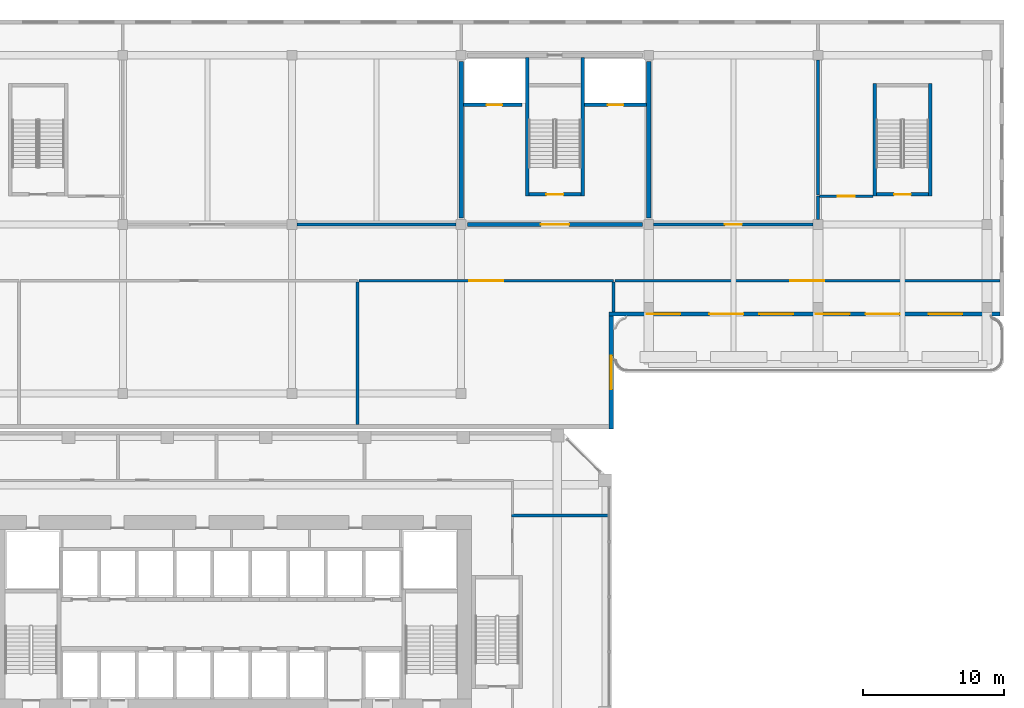
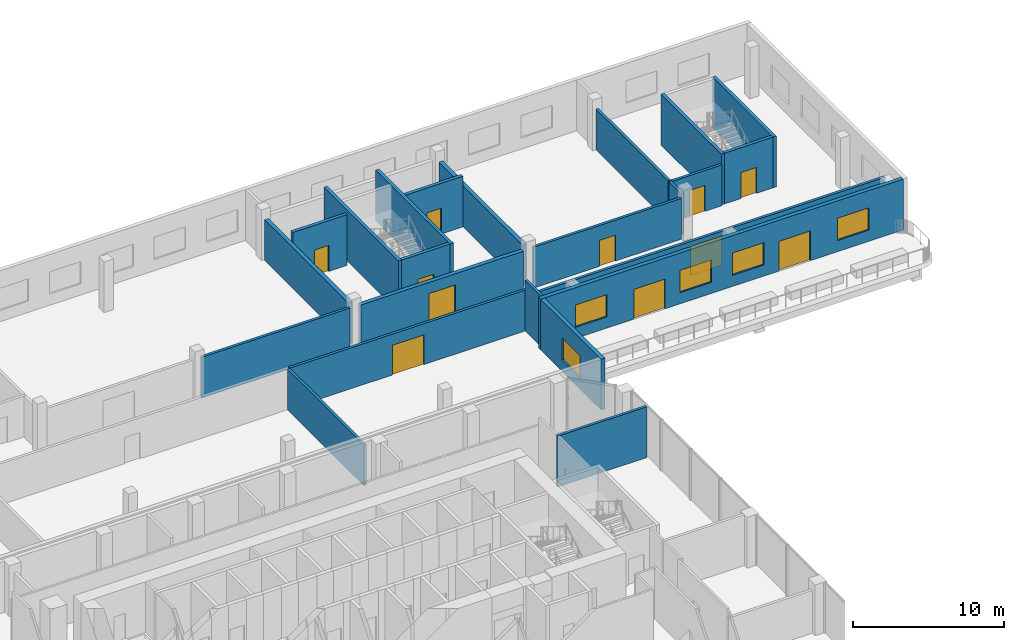
# One storey, part 25 of 36: 23 walls, 11 doors, 5 windows, 16 openings.
"""IFC4 building model written with IfcOpenShell, lengths in metres."""

from ifc_helpers import new_model, si_unit, direction, frame, frame_2d, origin, place, context, subcontext, project, spatial, rectangle, extrude, source, transform, mapped, material, layer, layer_set, type_object, element, fill, save


model = new_model("IFC4")

# Units and contexts
model_context = context("Model", 3, precision=1e-05, world=origin(), true_north=direction((0.0, 1.0)))
body_context = subcontext(model_context, "Body", "Model", "MODEL_VIEW")
ifc_project = project(units=[si_unit("LENGTHUNIT", "METRE"), si_unit("AREAUNIT", "SQUARE_METRE"), si_unit("VOLUMEUNIT", "CUBIC_METRE"), si_unit("PLANEANGLEUNIT", "RADIAN"), si_unit("MASSUNIT", "GRAM", prefix="KILO")], contexts=[model_context])

# Site, building, storey
site_placement = place(None, origin())
site = spatial("IfcSite", under=ifc_project, at=site_placement, CompositionType="ELEMENT")
building_placement = place(site_placement, origin())
building = spatial("IfcBuilding", under=site, at=building_placement, Name="Kilnfold Tower and Market Hall", CompositionType="ELEMENT")
storey_placement = place(building_placement, frame((0.0, 0.0, 18.0)))
storey = spatial("IfcBuildingStorey", under=building, at=storey_placement, Name="L03", CompositionType="ELEMENT", Elevation=18.0)

# Wall
ifc_material_1 = material(Name="Gypsum board on steel studs", Category="steel")
ifc_layer_1 = layer(ifc_material_1, 0.199951171875)
ifc_layer_set_1 = layer_set([ifc_layer_1], Name="Gypsum board on steel studs")
wall_type_1 = type_object("IfcWallType", Name="WALL PARTY 200", PredefinedType="PARTITIONING", material=ifc_layer_set_1)
wall_1_placement = place(storey_placement, frame((27.75, 22.0, 0.0), z_axis=(0.0, 0.0, 1.0), x_axis=(-1.0, 0.0, 0.0)))
element("IfcWall", 1, at=wall_1_placement, inside=storey, type_object=wall_type_1, Name="Partition LY04.61", PredefinedType="PARTITIONING", context=body_context, shape_type="SweptSolid", body=[
    extrude(rectangle(XDim=6.823974609375, YDim=0.199951171875, at=frame_2d((3.412109375, 0.0))), origin(), (0.0, 0.0, 1.0), 4.10009765625),
])

# Wall, opening, door
ifc_material_2 = material(Name="Concrete C50/60", Category="concrete")
ifc_layer_2 = layer(ifc_material_2, 0.25)
ifc_layer_set_2 = layer_set([ifc_layer_2], Name="Concrete C50/60")
wall_type_2 = type_object("IfcWallType", Name="HALL CORE WALL 250", PredefinedType="SHEAR", material=ifc_layer_set_2)
shared_shape_1 = source(origin(), body_context, "Body", "SweptSolid", [
    extrude(rectangle(XDim=3.699951171875, YDim=0.25, at=frame_2d((1.85009765625, 0.0))), origin(), (0.0, 0.0, 1.0), 4.10009765625),
])
wall_2_placement = place(storey_placement, frame((46.800048828125, 44.77490234375, 0.0), z_axis=(0.0, 0.0, 1.0), x_axis=(1.0, 0.0, 0.0)))
wall_2 = element("IfcWall", 2, at=wall_2_placement, inside=storey, type_object=wall_type_2, Name="Core wall MS6", PredefinedType="SHEAR", context=body_context, shape_type="MappedRepresentation", body=[
    mapped(shared_shape_1, transform((0.0, 0.0, 0.0))),
])
opening_1_placement = place(wall_2_placement, frame((1.25, 0.0, 0.0)))
opening_1 = element("IfcOpeningElement", 3, at=opening_1_placement, cuts=wall_2, Name="Opening MD9-60", PredefinedType="OPENING", context=body_context, shape_type="SweptSolid", body=[
    extrude(rectangle(XDim=1.199951171875, YDim=2.10009765625, at=frame_2d((0.60009765625, 1.050048828125))), frame((0.0, 0.135009765625, 0.0), z_axis=(0.0, -1.0, 0.0), x_axis=(1.0, 0.0, 0.0)), (0.0, 0.0, 1.0), 0.27001953125),
])
ifc_material_3 = material(Name="Steel S355", Category="steel")
door_type_1 = type_object("IfcDoorType", Name="HALL DOOR STAIR 1200X2100 FD60", OperationType="NOTDEFINED", PredefinedType="DOOR", material=ifc_material_3)
door_1_placement = place(opening_1_placement, origin())
door_1 = element("IfcDoor", 4, at=door_1_placement, inside=storey, type_object=door_type_1, Name="Door MD9-60", OperationType="DOUBLE_DOOR_SINGLE_SWING", OverallHeight=2.10009765625, OverallWidth=1.199951171875, PredefinedType="DOOR", context=body_context, shape_type="SweptSolid", body=[
    extrude(rectangle(XDim=1.199951171875, YDim=2.10009765625, at=frame_2d((0.60009765625, 1.050048828125))), frame((0.0, 0.02490234375, 0.0), z_axis=(0.0, -1.0, 0.0), x_axis=(1.0, 0.0, 0.0)), (0.0, 0.0, 1.0), 0.050048828125),
])
fill(opening_1, door_1)

shared_shape_2 = source(origin(), body_context, "Body", "SweptSolid", [
    extrude(rectangle(XDim=3.7001953125, YDim=0.25, at=frame_2d((1.85009765625, 0.0))), origin(), (0.0, 0.0, 1.0), 4.10009765625),
])
wall_3_placement = place(storey_placement, frame((25.85009765625, 44.77490234375, 0.0), z_axis=(0.0, 0.0, 1.0), x_axis=(-1.0, 0.0, 0.0)))
wall_3 = element("IfcWall", 5, at=wall_3_placement, inside=storey, type_object=wall_type_2, Name="Core wall MH3", PredefinedType="SHEAR", context=body_context, shape_type="MappedRepresentation", body=[
    mapped(shared_shape_2, transform((0.0, 0.0, 0.0))),
])
opening_2_placement = place(wall_3_placement, frame((1.25, 0.0, 0.0)))
opening_2 = element("IfcOpeningElement", 6, at=opening_2_placement, cuts=wall_3, Name="Opening MD9-60", PredefinedType="OPENING", context=body_context, shape_type="SweptSolid", body=[
    extrude(rectangle(XDim=1.199951171875, YDim=2.10009765625, at=frame_2d((0.60009765625, 1.050048828125))), frame((0.0, 0.135009765625, 0.0), z_axis=(0.0, -1.0, 0.0), x_axis=(1.0, 0.0, 0.0)), (0.0, 0.0, 1.0), 0.27001953125),
])
door_2_placement = place(opening_2_placement, origin())
door_2 = element("IfcDoor", 7, at=door_2_placement, inside=storey, type_object=door_type_1, Name="Door MD9-60", OperationType="DOUBLE_DOOR_SINGLE_SWING", OverallHeight=2.10009765625, OverallWidth=1.199951171875, PredefinedType="DOOR", context=body_context, shape_type="SweptSolid", body=[
    extrude(rectangle(XDim=1.199951171875, YDim=2.10009765625, at=frame_2d((0.60009765625, 1.050048828125))), frame((0.0, 0.02490234375, 0.0), z_axis=(0.0, -1.0, 0.0), x_axis=(1.0, 0.0, 0.0)), (0.0, 0.0, 1.0), 0.050048828125),
])
fill(opening_2, door_2)

# Walls
shared_shape_3 = source(origin(), body_context, "Body", "SweptSolid", [
    extrude(rectangle(XDim=8.0, YDim=0.25, at=frame_2d((4.0, 0.0))), origin(), (0.0, 0.0, 1.0), 4.10009765625),
])
for number, where, z_axis, x_axis, name in (
    (8, (46.675048828125, 44.64990234375, 0.0), (0.0, 0.0, 1.0), (0.0, 1.0, 0.0), "Core wall MS6"),
    (9, (50.625, 44.64990234375, 0.0), (0.0, 0.0, 1.0), (0.0, 1.0, 0.0), "Core wall MS6"),
):
    element("IfcWall", number, at=place(storey_placement, frame(where, z_axis=z_axis, x_axis=x_axis)), inside=storey, type_object=wall_type_2, Name=name, PredefinedType="SHEAR", context=body_context, shape_type="MappedRepresentation", body=[
        mapped(shared_shape_3, transform((0.0, 0.0, 0.0))),
    ])
shared_shape_4 = source(origin(), body_context, "Body", "SweptSolid", [
    extrude(rectangle(XDim=9.85009765625, YDim=0.25, at=frame_2d((4.925048828125, 0.0))), origin(), (0.0, 0.0, 1.0), 4.10009765625),
])
for number, where, z_axis, x_axis, name in (
    (10, (25.97509765625, 54.5, 0.0), (0.0, 0.0, 1.0), (0.0, -1.0, 0.0), "Core wall MH3"),
    (11, (22.02490234375, 54.5, 0.0), (0.0, 0.0, 1.0), (0.0, -1.0, 0.0), "Core wall MH3"),
):
    element("IfcWall", number, at=place(storey_placement, frame(where, z_axis=z_axis, x_axis=x_axis)), inside=storey, type_object=wall_type_2, Name=name, PredefinedType="SHEAR", context=body_context, shape_type="MappedRepresentation", body=[
        mapped(shared_shape_4, transform((0.0, 0.0, 0.0))),
    ])
ifc_material_4 = material(Name="Concrete C50/60", Category="concrete")
ifc_layer_3 = layer(ifc_material_4, 0.300048828125)
ifc_layer_set_3 = layer_set([ifc_layer_3], Name="Concrete C50/60")
wall_type_3 = type_object("IfcWallType", Name="HALL CORE WALL 300", PredefinedType="SHEAR", material=ifc_layer_set_3)
shared_shape_5 = source(origin(), body_context, "Body", "SweptSolid", [
    extrude(rectangle(XDim=11.099853515625, YDim=0.300048828125, at=frame_2d((5.5498046875, 0.0))), origin(), (0.0, 0.0, 1.0), 3.300048828125),
])
for number, where, z_axis, x_axis, name in (
    (12, (30.64990234375, 54.199951171875, 0.0), (0.0, 0.0, 1.0), (0.0, -1.0, 0.0), "Core wall MH3"),
    (13, (17.35009765625, 54.199951171875, 0.0), (0.0, 0.0, 1.0), (0.0, -1.0, 0.0), "Core wall MH3"),
):
    element("IfcWall", number, at=place(storey_placement, frame(where, z_axis=z_axis, x_axis=x_axis)), inside=storey, type_object=wall_type_3, Name=name, PredefinedType="SHEAR", context=body_context, shape_type="MappedRepresentation", body=[
        mapped(shared_shape_5, transform((0.0, 0.0, 0.0))),
    ])

# Wall, opening, door
shared_shape_6 = source(origin(), body_context, "Body", "SweptSolid", [
    extrude(rectangle(XDim=4.39990234375, YDim=0.25, at=frame_2d((2.199951171875, 0.0))), origin(), (0.0, 0.0, 1.0), 4.10009765625),
])
wall_4_placement = place(storey_placement, frame((30.5, 51.125, 0.0), z_axis=(0.0, 0.0, 1.0), x_axis=(-1.0, 0.0, 0.0)))
wall_4 = element("IfcWall", 14, at=wall_4_placement, inside=storey, type_object=wall_type_2, Name="Core wall MH3", PredefinedType="SHEAR", context=body_context, shape_type="MappedRepresentation", body=[
    mapped(shared_shape_6, transform((0.0, 0.0, 0.0))),
])
opening_3_placement = place(wall_4_placement, frame((1.64990234375, 0.0, 0.0)))
opening_3 = element("IfcOpeningElement", 15, at=opening_3_placement, cuts=wall_4, Name="Opening LD", PredefinedType="OPENING", context=body_context, shape_type="SweptSolid", body=[
    extrude(rectangle(XDim=1.10009765625, YDim=2.10009765625, at=frame_2d((0.550048828125, 1.050048828125))), frame((0.0, 0.135009765625, 0.0), z_axis=(0.0, -1.0, 0.0), x_axis=(1.0, 0.0, 0.0)), (0.0, 0.0, 1.0), 0.27001953125),
])
ifc_material_5 = material(Name="Steel S355", Category="steel")
door_type_2 = type_object("IfcDoorType", Name="HALL LANDING DOOR 1100X2100 FD60", OperationType="NOTDEFINED", PredefinedType="DOOR", material=ifc_material_5)
door_3_placement = place(opening_3_placement, origin())
door_3 = element("IfcDoor", 16, at=door_3_placement, inside=storey, type_object=door_type_2, Name="Door LD", OperationType="SLIDING_TO_LEFT", OverallHeight=2.10009765625, OverallWidth=1.10009765625, PredefinedType="DOOR", context=body_context, shape_type="SweptSolid", body=[
    extrude(rectangle(XDim=1.10009765625, YDim=2.10009765625, at=frame_2d((0.550048828125, 1.050048828125))), frame((0.0, 0.02490234375, 0.0), z_axis=(0.0, -1.0, 0.0), x_axis=(1.0, 0.0, 0.0)), (0.0, 0.0, 1.0), 0.050048828125),
])
fill(opening_3, door_3)

shared_shape_7 = source(origin(), body_context, "Body", "SweptSolid", [
    extrude(rectangle(XDim=4.14990234375, YDim=0.25, at=frame_2d((2.074951171875, 0.0))), origin(), (0.0, 0.0, 1.0), 4.10009765625),
])
wall_5_placement = place(storey_placement, frame((21.64990234375, 51.125, 0.0), z_axis=(0.0, 0.0, 1.0), x_axis=(-1.0, 0.0, 0.0)))
wall_5 = element("IfcWall", 17, at=wall_5_placement, inside=storey, type_object=wall_type_2, Name="Core wall MH3", PredefinedType="SHEAR", context=body_context, shape_type="MappedRepresentation", body=[
    mapped(shared_shape_7, transform((0.0, 0.0, 0.0))),
])
opening_4_placement = place(wall_5_placement, frame((1.39990234375, 0.0, 0.0)))
opening_4 = element("IfcOpeningElement", 18, at=opening_4_placement, cuts=wall_5, Name="Opening LD", PredefinedType="OPENING", context=body_context, shape_type="SweptSolid", body=[
    extrude(rectangle(XDim=1.10009765625, YDim=2.10009765625, at=frame_2d((0.550048828125, 1.050048828125))), frame((0.0, 0.135009765625, 0.0), z_axis=(0.0, -1.0, 0.0), x_axis=(1.0, 0.0, 0.0)), (0.0, 0.0, 1.0), 0.27001953125),
])
door_4_placement = place(opening_4_placement, origin())
door_4 = element("IfcDoor", 19, at=door_4_placement, inside=storey, type_object=door_type_2, Name="Door LD", OperationType="SLIDING_TO_LEFT", OverallHeight=2.10009765625, OverallWidth=1.10009765625, PredefinedType="DOOR", context=body_context, shape_type="SweptSolid", body=[
    extrude(rectangle(XDim=1.10009765625, YDim=2.10009765625, at=frame_2d((0.550048828125, 1.050048828125))), frame((0.0, 0.02490234375, 0.0), z_axis=(0.0, -1.0, 0.0), x_axis=(1.0, 0.0, 0.0)), (0.0, 0.0, 1.0), 0.050048828125),
])
fill(opening_4, door_4)

shared_shape_8 = source(origin(), body_context, "Body", "SweptSolid", [
    extrude(rectangle(XDim=12.39990234375, YDim=0.300048828125, at=frame_2d((6.199951171875, 0.0))), origin(), (0.0, 0.0, 1.0), 3.300048828125),
])
wall_6_placement = place(storey_placement, frame((30.199951171875, 42.64990234375, 0.0), z_axis=(0.0, 0.0, 1.0), x_axis=(-1.0, 0.0, 0.0)))
wall_6 = element("IfcWall", 20, at=wall_6_placement, inside=storey, type_object=wall_type_3, Name="Core wall MH3", PredefinedType="SHEAR", context=body_context, shape_type="MappedRepresentation", body=[
    mapped(shared_shape_8, transform((0.0, 0.0, 0.0))),
])
opening_5_placement = place(wall_6_placement, frame((5.199951171875, 0.0, 0.0)))
opening_5 = element("IfcOpeningElement", 21, at=opening_5_placement, cuts=wall_6, Name="Opening MD10-60", PredefinedType="OPENING", context=body_context, shape_type="SweptSolid", body=[
    extrude(rectangle(XDim=2.0, YDim=2.39990234375, at=frame_2d((1.0, 1.199951171875))), frame((0.0, 0.16015625, 0.0), z_axis=(0.0, -1.0, 0.0), x_axis=(1.0, 0.0, 0.0)), (0.0, 0.0, 1.0), 0.320068359375),
])
ifc_material_6 = material(Name="Aluminium glazing", Category="aluminium")
door_type_3 = type_object("IfcDoorType", Name="HALL DOOR LOBBY 2000X2400 FD60", OperationType="NOTDEFINED", PredefinedType="DOOR", material=ifc_material_6)
door_5_placement = place(opening_5_placement, origin())
door_5 = element("IfcDoor", 22, at=door_5_placement, inside=storey, type_object=door_type_3, Name="Door MD10-60", OperationType="DOUBLE_DOOR_SINGLE_SWING", OverallHeight=2.39990234375, OverallWidth=2.0, PredefinedType="DOOR", context=body_context, shape_type="SweptSolid", body=[
    extrude(rectangle(XDim=2.0, YDim=2.39990234375, at=frame_2d((1.0, 1.199951171875))), frame((0.0, 0.02490234375, 0.0), z_axis=(0.0, -1.0, 0.0), x_axis=(1.0, 0.0, 0.0)), (0.0, 0.0, 1.0), 0.050048828125),
])
fill(opening_5, door_5)

# Wall, openings, doors, windows
ifc_material_7 = material(Name="Concrete blockwork", Category="masonry")
ifc_layer_4 = layer(ifc_material_7, 0.300048828125)
ifc_layer_set_4 = layer_set([ifc_layer_4], Name="Concrete blockwork")
wall_type_4 = type_object("IfcWallType", Name="HALL EXTERNAL WALL 300 EI 60", PredefinedType="SOLIDWALL", material=ifc_layer_set_4)
shared_shape_9 = source(origin(), body_context, "Body", "SweptSolid", [
    extrude(rectangle(XDim=27.699951171875, YDim=0.300048828125, at=frame_2d((13.85009765625, 0.0))), origin(), (0.0, 0.0, 1.0), 4.10009765625),
])
wall_7_placement = place(storey_placement, frame((55.550048828125, 36.300048828125, 0.0), z_axis=(0.0, 0.0, 1.0), x_axis=(-1.0, 0.0, 0.0)))
wall_7 = element("IfcWall", 23, at=wall_7_placement, inside=storey, type_object=wall_type_4, Name="External wall MEW-L03.4", PredefinedType="SOLIDWALL", context=body_context, shape_type="MappedRepresentation", body=[
    mapped(shared_shape_9, transform((0.0, 0.0, 0.0))),
])
opening_6_placement = place(wall_7_placement, frame((7.110107421875, 0.0, 0.0)))
opening_6 = element("IfcOpeningElement", 24, at=opening_6_placement, cuts=wall_7, Name="Opening MED2", PredefinedType="OPENING", context=body_context, shape_type="SweptSolid", body=[
    extrude(rectangle(XDim=2.39990234375, YDim=2.39990234375, at=frame_2d((1.199951171875, 1.199951171875))), frame((0.0, 0.16015625, 0.0), z_axis=(0.0, -1.0, 0.0), x_axis=(1.0, 0.0, 0.0)), (0.0, 0.0, 1.0), 0.320068359375),
])
opening_7_placement = place(wall_7_placement, frame((18.18994140625, 0.0, 0.0)))
opening_7 = element("IfcOpeningElement", 25, at=opening_7_placement, cuts=wall_7, Name="Opening MED2", PredefinedType="OPENING", context=body_context, shape_type="SweptSolid", body=[
    extrude(rectangle(XDim=2.39990234375, YDim=2.39990234375, at=frame_2d((1.199951171875, 1.199951171875))), frame((0.0, 0.16015625, 0.0), z_axis=(0.0, -1.0, 0.0), x_axis=(1.0, 0.0, 0.0)), (0.0, 0.0, 1.0), 0.320068359375),
])
opening_8_placement = place(wall_7_placement, frame((2.64990234375, 0.0, 0.89990234375)))
opening_8 = element("IfcOpeningElement", 26, at=opening_8_placement, cuts=wall_7, Name="Opening MEN3", PredefinedType="OPENING", context=body_context, shape_type="SweptSolid", body=[
    extrude(rectangle(XDim=2.39990234375, YDim=1.800048828125, at=frame_2d((1.199951171875, 0.89990234375))), frame((0.0, 0.16015625, 0.0), z_axis=(0.0, -1.0, 0.0), x_axis=(1.0, 0.0, 0.0)), (0.0, 0.0, 1.0), 0.320068359375),
])
opening_9_placement = place(wall_7_placement, frame((10.64990234375, 0.0, 0.89990234375)))
opening_9 = element("IfcOpeningElement", 27, at=opening_9_placement, cuts=wall_7, Name="Opening MEN3", PredefinedType="OPENING", context=body_context, shape_type="SweptSolid", body=[
    extrude(rectangle(XDim=2.39990234375, YDim=1.800048828125, at=frame_2d((1.199951171875, 0.89990234375))), frame((0.0, 0.16015625, 0.0), z_axis=(0.0, -1.0, 0.0), x_axis=(1.0, 0.0, 0.0)), (0.0, 0.0, 1.0), 0.320068359375),
])
opening_10_placement = place(wall_7_placement, frame((14.64990234375, 0.0, 0.89990234375)))
opening_10 = element("IfcOpeningElement", 28, at=opening_10_placement, cuts=wall_7, Name="Opening MEN3", PredefinedType="OPENING", context=body_context, shape_type="SweptSolid", body=[
    extrude(rectangle(XDim=2.39990234375, YDim=1.800048828125, at=frame_2d((1.199951171875, 0.89990234375))), frame((0.0, 0.16015625, 0.0), z_axis=(0.0, -1.0, 0.0), x_axis=(1.0, 0.0, 0.0)), (0.0, 0.0, 1.0), 0.320068359375),
])
opening_11_placement = place(wall_7_placement, frame((22.64990234375, 0.0, 0.89990234375)))
opening_11 = element("IfcOpeningElement", 29, at=opening_11_placement, cuts=wall_7, Name="Opening MEN3", PredefinedType="OPENING", context=body_context, shape_type="SweptSolid", body=[
    extrude(rectangle(XDim=2.39990234375, YDim=1.800048828125, at=frame_2d((1.199951171875, 0.89990234375))), frame((0.0, 0.16015625, 0.0), z_axis=(0.0, -1.0, 0.0), x_axis=(1.0, 0.0, 0.0)), (0.0, 0.0, 1.0), 0.320068359375),
])
ifc_material_8 = material(Name="Aluminium glazing", Category="aluminium")
door_type_4 = type_object("IfcDoorType", Name="DECK DOOR 2400X2400", OperationType="NOTDEFINED", PredefinedType="DOOR", material=ifc_material_8)
door_6_placement = place(opening_6_placement, origin())
door_6 = element("IfcDoor", 30, at=door_6_placement, inside=storey, type_object=door_type_4, Name="Terrace door MED2", OperationType="DOUBLE_DOOR_SINGLE_SWING", OverallHeight=2.39990234375, OverallWidth=2.39990234375, PredefinedType="DOOR", context=body_context, shape_type="SweptSolid", body=[
    extrude(rectangle(XDim=2.39990234375, YDim=2.39990234375, at=frame_2d((1.199951171875, 1.199951171875))), frame((0.0, 0.02490234375, 0.0), z_axis=(0.0, -1.0, 0.0), x_axis=(1.0, 0.0, 0.0)), (0.0, 0.0, 1.0), 0.050048828125),
])
fill(opening_6, door_6)
door_7_placement = place(opening_7_placement, origin())
door_7 = element("IfcDoor", 31, at=door_7_placement, inside=storey, type_object=door_type_4, Name="Terrace door MED2", OperationType="DOUBLE_DOOR_SINGLE_SWING", OverallHeight=2.39990234375, OverallWidth=2.39990234375, PredefinedType="DOOR", context=body_context, shape_type="SweptSolid", body=[
    extrude(rectangle(XDim=2.39990234375, YDim=2.39990234375, at=frame_2d((1.199951171875, 1.199951171875))), frame((0.0, 0.02490234375, 0.0), z_axis=(0.0, -1.0, 0.0), x_axis=(1.0, 0.0, 0.0)), (0.0, 0.0, 1.0), 0.050048828125),
])
fill(opening_7, door_7)
ifc_material_9 = material(Name="Aluminium glazing", Category="aluminium")
window_type = type_object("IfcWindowType", Name="HALL WINDOW 2400X1800", PartitioningType="SINGLE_PANEL", PredefinedType="WINDOW", material=ifc_material_9)
window_1_placement = place(opening_8_placement, origin())
window_1 = element("IfcWindow", 32, at=window_1_placement, inside=storey, type_object=window_type, Name="Window upper", OverallHeight=1.800048828125, OverallWidth=2.39990234375, PartitioningType="SINGLE_PANEL", PredefinedType="WINDOW", context=body_context, shape_type="SweptSolid", body=[
    extrude(rectangle(XDim=2.39990234375, YDim=1.800048828125, at=frame_2d((1.199951171875, 0.89990234375))), frame((0.0, 0.030029296875, 0.0), z_axis=(0.0, -1.0, 0.0), x_axis=(1.0, 0.0, 0.0)), (0.0, 0.0, 1.0), 0.06005859375),
])
fill(opening_8, window_1)
window_2_placement = place(opening_9_placement, origin())
window_2 = element("IfcWindow", 33, at=window_2_placement, inside=storey, type_object=window_type, Name="Window upper", OverallHeight=1.800048828125, OverallWidth=2.39990234375, PartitioningType="SINGLE_PANEL", PredefinedType="WINDOW", context=body_context, shape_type="SweptSolid", body=[
    extrude(rectangle(XDim=2.39990234375, YDim=1.800048828125, at=frame_2d((1.199951171875, 0.89990234375))), frame((0.0, 0.030029296875, 0.0), z_axis=(0.0, -1.0, 0.0), x_axis=(1.0, 0.0, 0.0)), (0.0, 0.0, 1.0), 0.06005859375),
])
fill(opening_9, window_2)
window_3_placement = place(opening_10_placement, origin())
window_3 = element("IfcWindow", 34, at=window_3_placement, inside=storey, type_object=window_type, Name="Window upper", OverallHeight=1.800048828125, OverallWidth=2.39990234375, PartitioningType="SINGLE_PANEL", PredefinedType="WINDOW", context=body_context, shape_type="SweptSolid", body=[
    extrude(rectangle(XDim=2.39990234375, YDim=1.800048828125, at=frame_2d((1.199951171875, 0.89990234375))), frame((0.0, 0.030029296875, 0.0), z_axis=(0.0, -1.0, 0.0), x_axis=(1.0, 0.0, 0.0)), (0.0, 0.0, 1.0), 0.06005859375),
])
fill(opening_10, window_3)
window_4_placement = place(opening_11_placement, origin())
window_4 = element("IfcWindow", 35, at=window_4_placement, inside=storey, type_object=window_type, Name="Window upper", OverallHeight=1.800048828125, OverallWidth=2.39990234375, PartitioningType="SINGLE_PANEL", PredefinedType="WINDOW", context=body_context, shape_type="SweptSolid", body=[
    extrude(rectangle(XDim=2.39990234375, YDim=1.800048828125, at=frame_2d((1.199951171875, 0.89990234375))), frame((0.0, 0.030029296875, 0.0), z_axis=(0.0, -1.0, 0.0), x_axis=(1.0, 0.0, 0.0)), (0.0, 0.0, 1.0), 0.06005859375),
])
fill(opening_11, window_4)

# Wall, opening, window
shared_shape_10 = source(origin(), body_context, "Body", "SweptSolid", [
    extrude(rectangle(XDim=8.0, YDim=0.300048828125, at=frame_2d((4.0, 0.0))), origin(), (0.0, 0.0, 1.0), 4.10009765625),
])
wall_8_placement = place(storey_placement, frame((28.0, 36.14990234375, 0.0), z_axis=(0.0, 0.0, 1.0), x_axis=(0.0, -1.0, 0.0)))
wall_8 = element("IfcWall", 36, at=wall_8_placement, inside=storey, type_object=wall_type_4, Name="External wall MEW-L03.5", PredefinedType="SOLIDWALL", context=body_context, shape_type="MappedRepresentation", body=[
    mapped(shared_shape_10, transform((0.0, 0.0, 0.0))),
])
opening_12_placement = place(wall_8_placement, frame((2.800048828125, 0.0, 0.89990234375)))
opening_12 = element("IfcOpeningElement", 37, at=opening_12_placement, cuts=wall_8, Name="Opening MEN3", PredefinedType="OPENING", context=body_context, shape_type="SweptSolid", body=[
    extrude(rectangle(XDim=2.39990234375, YDim=1.800048828125, at=frame_2d((1.199951171875, 0.89990234375))), frame((0.0, 0.16015625, 0.0), z_axis=(0.0, -1.0, 0.0), x_axis=(1.0, 0.0, 0.0)), (0.0, 0.0, 1.0), 0.320068359375),
])
window_5_placement = place(opening_12_placement, origin())
window_5 = element("IfcWindow", 38, at=window_5_placement, inside=storey, type_object=window_type, Name="Window upper", OverallHeight=1.800048828125, OverallWidth=2.39990234375, PartitioningType="SINGLE_PANEL", PredefinedType="WINDOW", context=body_context, shape_type="SweptSolid", body=[
    extrude(rectangle(XDim=2.39990234375, YDim=1.800048828125, at=frame_2d((1.199951171875, 0.89990234375))), frame((0.0, 0.030029296875, 0.0), z_axis=(0.0, -1.0, 0.0), x_axis=(1.0, 0.0, 0.0)), (0.0, 0.0, 1.0), 0.06005859375),
])
fill(opening_12, window_5)

# Wall
ifc_material_10 = material(Name="Concrete blockwork", Category="masonry")
ifc_layer_5 = layer(ifc_material_10, 0.199951171875)
ifc_layer_set_5 = layer_set([ifc_layer_5], Name="Concrete blockwork")
wall_type_5 = type_object("IfcWallType", Name="HALL PARTITION 200 EI 120", PredefinedType="PARTITIONING", material=ifc_layer_set_5)
shared_shape_11 = source(origin(), body_context, "Body", "SweptSolid", [
    extrude(rectangle(XDim=10.10009765625, YDim=0.199951171875, at=frame_2d((5.050048828125, 0.0))), origin(), (0.0, 0.0, 1.0), 3.300048828125),
])
wall_9_placement = place(storey_placement, frame((10.0, 38.550048828125, 0.0), z_axis=(0.0, 0.0, 1.0), x_axis=(0.0, -1.0, 0.0)))
element("IfcWall", 39, at=wall_9_placement, inside=storey, type_object=wall_type_5, Name="Partition W-MH-L03.43", PredefinedType="PARTITIONING", context=body_context, shape_type="MappedRepresentation", body=[
    mapped(shared_shape_11, transform((0.0, 0.0, 0.0))),
])

# Wall, opening, door
ifc_material_11 = material(Name="Concrete blockwork", Category="masonry")
ifc_layer_6 = layer(ifc_material_11, 0.199951171875)
ifc_layer_set_6 = layer_set([ifc_layer_6], Name="Concrete blockwork")
wall_type_6 = type_object("IfcWallType", Name="HALL PARTITION 200 EI 60", PredefinedType="PARTITIONING", material=ifc_layer_set_6)
shared_shape_12 = source(origin(), body_context, "Body", "SweptSolid", [
    extrude(rectangle(XDim=18.0498046875, YDim=0.199951171875, at=frame_2d((9.02490234375, 0.0))), origin(), (0.0, 0.0, 1.0), 3.300048828125),
])
wall_10_placement = place(storey_placement, frame((28.14990234375, 38.64990234375, 0.0), z_axis=(0.0, 0.0, 1.0), x_axis=(-1.0, 0.0, 0.0)))
wall_10 = element("IfcWall", 40, at=wall_10_placement, inside=storey, type_object=wall_type_6, Name="Partition W-MH-L03.45", PredefinedType="PARTITIONING", context=body_context, shape_type="MappedRepresentation", body=[
    mapped(shared_shape_12, transform((0.0, 0.0, 0.0))),
])
opening_13_placement = place(wall_10_placement, frame((7.824951171875, 0.0, 0.0)))
opening_13 = element("IfcOpeningElement", 41, at=opening_13_placement, cuts=wall_10, Name="Opening MD7-60", PredefinedType="OPENING", context=body_context, shape_type="SweptSolid", body=[
    extrude(rectangle(XDim=2.39990234375, YDim=2.39990234375, at=frame_2d((1.199951171875, 1.199951171875))), frame((0.0, 0.10986328125, 0.0), z_axis=(0.0, -1.0, 0.0), x_axis=(1.0, 0.0, 0.0)), (0.0, 0.0, 1.0), 0.219970703125),
])
ifc_material_12 = material(Name="Aluminium glazing", Category="aluminium")
door_type_5 = type_object("IfcDoorType", Name="HALL DOOR HALL 2400X2400 FD60", OperationType="NOTDEFINED", PredefinedType="DOOR", material=ifc_material_12)
door_8_placement = place(opening_13_placement, origin())
door_8 = element("IfcDoor", 42, at=door_8_placement, inside=storey, type_object=door_type_5, Name="Door MD7-60", OperationType="DOUBLE_DOOR_SINGLE_SWING", OverallHeight=2.39990234375, OverallWidth=2.39990234375, PredefinedType="DOOR", context=body_context, shape_type="SweptSolid", body=[
    extrude(rectangle(XDim=2.39990234375, YDim=2.39990234375, at=frame_2d((1.199951171875, 1.199951171875))), frame((0.0, 0.02490234375, 0.0), z_axis=(0.0, -1.0, 0.0), x_axis=(1.0, 0.0, 0.0)), (0.0, 0.0, 1.0), 0.050048828125),
])
fill(opening_13, door_8)

shared_shape_13 = source(origin(), body_context, "Body", "SweptSolid", [
    extrude(rectangle(XDim=3.800048828125, YDim=0.199951171875, at=frame_2d((1.89990234375, 0.0))), origin(), (0.0, 0.0, 1.0), 3.300048828125),
])
wall_11_placement = place(storey_placement, frame((42.75, 44.64990234375, 0.0), z_axis=(0.0, 0.0, 1.0), x_axis=(1.0, 0.0, 0.0)))
wall_11 = element("IfcWall", 43, at=wall_11_placement, inside=storey, type_object=wall_type_5, Name="Partition W-MH-L03.49", PredefinedType="PARTITIONING", context=body_context, shape_type="MappedRepresentation", body=[
    mapped(shared_shape_13, transform((0.0, 0.0, 0.0))),
])
opening_14_placement = place(wall_11_placement, frame((1.300048828125, 0.0, 0.0)))
opening_14 = element("IfcOpeningElement", 44, at=opening_14_placement, cuts=wall_11, Name="Opening MD3-120", PredefinedType="OPENING", context=body_context, shape_type="SweptSolid", body=[
    extrude(rectangle(XDim=1.199951171875, YDim=2.10009765625, at=frame_2d((0.60009765625, 1.050048828125))), frame((0.0, 0.10986328125, 0.0), z_axis=(0.0, -1.0, 0.0), x_axis=(1.0, 0.0, 0.0)), (0.0, 0.0, 1.0), 0.219970703125),
])
ifc_material_13 = material(Name="Steel S355", Category="steel")
door_type_6 = type_object("IfcDoorType", Name="HALL DOOR SERVICE 1200X2100 FD120", OperationType="NOTDEFINED", PredefinedType="DOOR", material=ifc_material_13)
door_9_placement = place(opening_14_placement, origin())
door_9 = element("IfcDoor", 45, at=door_9_placement, inside=storey, type_object=door_type_6, Name="Door MD3-120", OperationType="SINGLE_SWING_LEFT", OverallHeight=2.10009765625, OverallWidth=1.199951171875, PredefinedType="DOOR", context=body_context, shape_type="SweptSolid", body=[
    extrude(rectangle(XDim=1.199951171875, YDim=2.10009765625, at=frame_2d((0.60009765625, 1.050048828125))), frame((0.0, 0.02490234375, 0.0), z_axis=(0.0, -1.0, 0.0), x_axis=(1.0, 0.0, 0.0)), (0.0, 0.0, 1.0), 0.050048828125),
])
fill(opening_14, door_9)

shared_shape_14 = source(origin(), body_context, "Body", "SweptSolid", [
    extrude(rectangle(XDim=27.300048828125, YDim=0.199951171875, at=frame_2d((13.64990234375, 0.0))), origin(), (0.0, 0.0, 1.0), 2.800048828125),
])
wall_12_placement = place(storey_placement, frame((55.550048828125, 38.64990234375, 0.0), z_axis=(0.0, 0.0, 1.0), x_axis=(-1.0, 0.0, 0.0)))
wall_12 = element("IfcWall", 46, at=wall_12_placement, inside=storey, type_object=wall_type_6, Name="Partition W-MH-L03.52", PredefinedType="PARTITIONING", context=body_context, shape_type="MappedRepresentation", body=[
    mapped(shared_shape_14, transform((0.0, 0.0, 0.0))),
])
opening_15_placement = place(wall_12_placement, frame((12.449951171875, 0.0, 0.0)))
opening_15 = element("IfcOpeningElement", 47, at=opening_15_placement, cuts=wall_12, Name="Opening MD7-60", PredefinedType="OPENING", context=body_context, shape_type="SweptSolid", body=[
    extrude(rectangle(XDim=2.39990234375, YDim=2.39990234375, at=frame_2d((1.199951171875, 1.199951171875))), frame((0.0, 0.10986328125, 0.0), z_axis=(0.0, -1.0, 0.0), x_axis=(1.0, 0.0, 0.0)), (0.0, 0.0, 1.0), 0.219970703125),
])
door_10_placement = place(opening_15_placement, origin())
door_10 = element("IfcDoor", 48, at=door_10_placement, inside=storey, type_object=door_type_5, Name="Door MD7-60", OperationType="DOUBLE_DOOR_SINGLE_SWING", OverallHeight=2.39990234375, OverallWidth=2.39990234375, PredefinedType="DOOR", context=body_context, shape_type="SweptSolid", body=[
    extrude(rectangle(XDim=2.39990234375, YDim=2.39990234375, at=frame_2d((1.199951171875, 1.199951171875))), frame((0.0, 0.02490234375, 0.0), z_axis=(0.0, -1.0, 0.0), x_axis=(1.0, 0.0, 0.0)), (0.0, 0.0, 1.0), 0.050048828125),
])
fill(opening_15, door_10)

# Walls
shared_shape_15 = source(origin(), body_context, "Body", "SweptSolid", [
    extrude(rectangle(XDim=9.550048828125, YDim=0.199951171875, at=frame_2d((4.77490234375, 0.0))), origin(), (0.0, 0.0, 1.0), 3.300048828125),
])
wall_13_placement = place(storey_placement, frame((42.64990234375, 54.300048828125, 0.0), z_axis=(0.0, 0.0, 1.0), x_axis=(0.0, -1.0, 0.0)))
element("IfcWall", 49, at=wall_13_placement, inside=storey, type_object=wall_type_5, Name="Partition W-MH-L03.50", PredefinedType="PARTITIONING", context=body_context, shape_type="MappedRepresentation", body=[
    mapped(shared_shape_15, transform((0.0, 0.0, 0.0))),
])
shared_shape_16 = source(origin(), body_context, "Body", "SweptSolid", [
    extrude(rectangle(XDim=11.300048828125, YDim=0.199951171875, at=frame_2d((5.64990234375, 0.0))), origin(), (0.0, 0.0, 1.0), 3.300048828125),
])
wall_14_placement = place(storey_placement, frame((5.699951171875, 42.64990234375, 0.0), z_axis=(0.0, 0.0, 1.0), x_axis=(1.0, 0.0, 0.0)))
element("IfcWall", 50, at=wall_14_placement, inside=storey, type_object=wall_type_6, Name="Partition W-MH-L03.41", PredefinedType="PARTITIONING", context=body_context, shape_type="MappedRepresentation", body=[
    mapped(shared_shape_16, transform((0.0, 0.0, 0.0))),
])

# Wall, opening, door
wall_15_placement = place(storey_placement, frame((31.0, 42.64990234375, 0.0), z_axis=(0.0, 0.0, 1.0), x_axis=(1.0, 0.0, 0.0)))
wall_15 = element("IfcWall", 51, at=wall_15_placement, inside=storey, type_object=wall_type_5, Name="Partition W-MH-L03.47", PredefinedType="PARTITIONING", context=body_context, shape_type="MappedRepresentation", body=[
    mapped(shared_shape_16, transform((0.0, 0.0, 0.0))),
])
opening_16_placement = place(wall_15_placement, frame((5.050048828125, 0.0, 0.0)))
opening_16 = element("IfcOpeningElement", 52, at=opening_16_placement, cuts=wall_15, Name="Opening MD3-120", PredefinedType="OPENING", context=body_context, shape_type="SweptSolid", body=[
    extrude(rectangle(XDim=1.199951171875, YDim=2.10009765625, at=frame_2d((0.60009765625, 1.050048828125))), frame((0.0, 0.10986328125, 0.0), z_axis=(0.0, -1.0, 0.0), x_axis=(1.0, 0.0, 0.0)), (0.0, 0.0, 1.0), 0.219970703125),
])
door_11_placement = place(opening_16_placement, origin())
door_11 = element("IfcDoor", 53, at=door_11_placement, inside=storey, type_object=door_type_6, Name="Door MD3-120", OperationType="SINGLE_SWING_RIGHT", OverallHeight=2.10009765625, OverallWidth=1.199951171875, PredefinedType="DOOR", context=body_context, shape_type="SweptSolid", body=[
    extrude(rectangle(XDim=1.199951171875, YDim=2.10009765625, at=frame_2d((0.60009765625, 1.050048828125))), frame((0.0, 0.02490234375, 0.0), z_axis=(0.0, -1.0, 0.0), x_axis=(1.0, 0.0, 0.0)), (0.0, 0.0, 1.0), 0.050048828125),
])
fill(opening_16, door_11)

# Walls
shared_shape_17 = source(origin(), body_context, "Body", "SweptSolid", [
    extrude(rectangle(XDim=1.64990234375, YDim=0.199951171875, at=frame_2d((0.824951171875, 0.0))), origin(), (0.0, 0.0, 1.0), 3.300048828125),
])
wall_16_placement = place(storey_placement, frame((42.64990234375, 43.0, 0.0), z_axis=(0.0, 0.0, 1.0), x_axis=(0.0, 1.0, 0.0)))
element("IfcWall", 54, at=wall_16_placement, inside=storey, type_object=wall_type_5, Name="Partition W-MH-L03.48", PredefinedType="PARTITIONING", context=body_context, shape_type="MappedRepresentation", body=[
    mapped(shared_shape_17, transform((0.0, 0.0, 0.0))),
])
shared_shape_18 = source(origin(), body_context, "Body", "SweptSolid", [
    extrude(rectangle(XDim=2.10009765625, YDim=0.199951171875, at=frame_2d((1.050048828125, 0.0))), origin(), (0.0, 0.0, 1.0), 4.10009765625),
])
wall_17_placement = place(storey_placement, frame((28.14990234375, 38.550048828125, 0.0), z_axis=(0.0, 0.0, 1.0), x_axis=(0.0, -1.0, 0.0)))
element("IfcWall", 55, at=wall_17_placement, inside=storey, type_object=wall_type_6, Name="Partition W-MH-L03.46", PredefinedType="PARTITIONING", context=body_context, shape_type="MappedRepresentation", body=[
    mapped(shared_shape_18, transform((0.0, 0.0, 0.0))),
])

save(model, "model.ifc")
